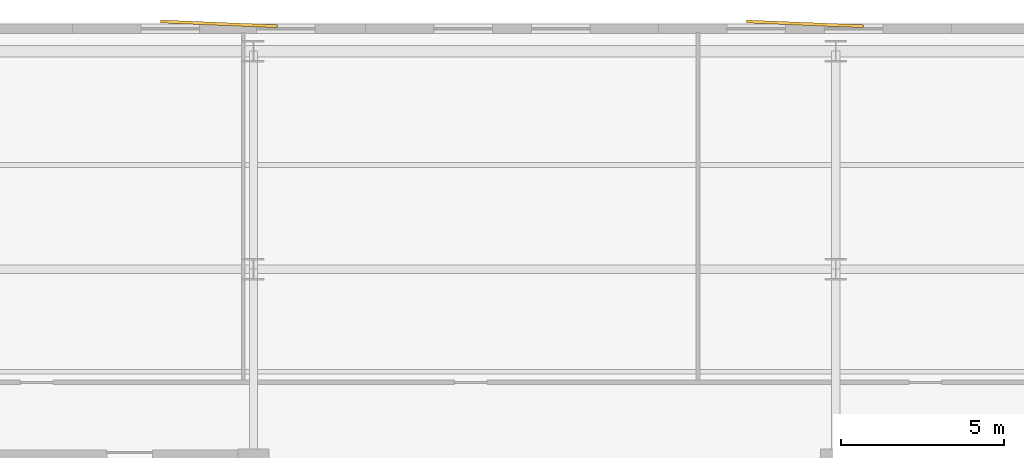
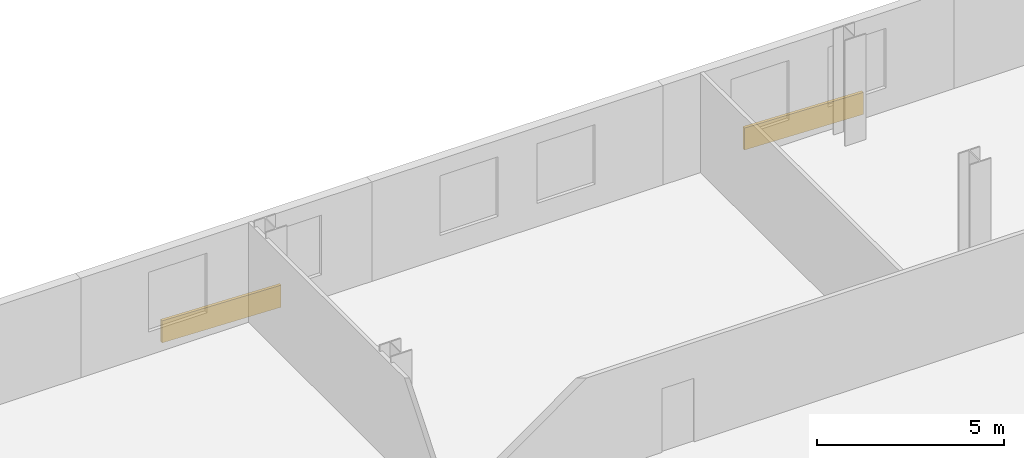
# One storey, part 9 of 9: 2 coverings.
"""IFC4 building model written with IfcOpenShell, lengths in metres."""

from ifc_helpers import new_model, si_unit, direction, frame, origin, origin_2d, place, context, subcontext, project, spatial, rectangle, extrude, material, layer, layer_set, type_object, element, save


model = new_model("IFC4")

# Units and contexts
model_context = context("Model", 3, precision=1e-05, world=origin(), true_north=direction((0.0, 1.0)))
body_context = subcontext(model_context, "Body", "Model", "MODEL_VIEW")
ifc_project = project(units=[si_unit("LENGTHUNIT", "METRE"), si_unit("AREAUNIT", "SQUARE_METRE"), si_unit("VOLUMEUNIT", "CUBIC_METRE"), si_unit("PLANEANGLEUNIT", "RADIAN"), si_unit("MASSUNIT", "GRAM", prefix="KILO")], contexts=[model_context])

# Site, building, storey
site_placement = place(None, origin())
site = spatial("IfcSite", under=ifc_project, at=site_placement, CompositionType="ELEMENT")
building_placement = place(site_placement, origin())
building = spatial("IfcBuilding", under=site, at=building_placement, Name="Velakula Bourse", CompositionType="ELEMENT")
storey_placement = place(building_placement, frame((0.0, 0.0, 138.10009765625)))
storey = spatial("IfcBuildingStorey", under=building, at=storey_placement, Name="L37", CompositionType="ELEMENT", Elevation=138.10009765625)

# Coverings
ifc_material = material(Name="Red kilned clay facing brick masonry", Category="masonry")
ifc_layer = layer(ifc_material, 0.090087890625, Name="Red kilned clay facing brick masonry", Category="masonry")
ifc_layer_set = layer_set([ifc_layer], Name="Red kilned clay facing brick masonry")
covering_type = type_object("IfcCoveringType", Name="COV-BRK-FOLD-90", PredefinedType="CLADDING", material=ifc_layer_set)
for number, where, z_axis, x_axis, name in (
    (1, (-10.0, 22.139892578125, 0.0), (0.0, 0.0, 1.0), (0.999158993058, -0.041003738744, 0.0), "L37 Folded Brick Facade Cladding Panel N-B2"),
    (2, (8.0, 22.139892578125, 0.0), (0.0, 0.0, 1.0), (0.999158993058, -0.041003738744, 0.0), "L37 Folded Brick Facade Cladding Panel N-B4"),
):
    element("IfcCovering", number, at=place(storey_placement, frame(where, z_axis=z_axis, x_axis=x_axis)), inside=storey, type_object=covering_type, Name=name, PredefinedType="CLADDING", context=body_context, shape_type="SweptSolid", body=[
        extrude(rectangle(XDim=3.60009765625, YDim=0.090087890625, at=origin_2d()), origin(), (0.0, 0.0, 1.0), 0.719970703125),
    ])

save(model, "model.ifc")
